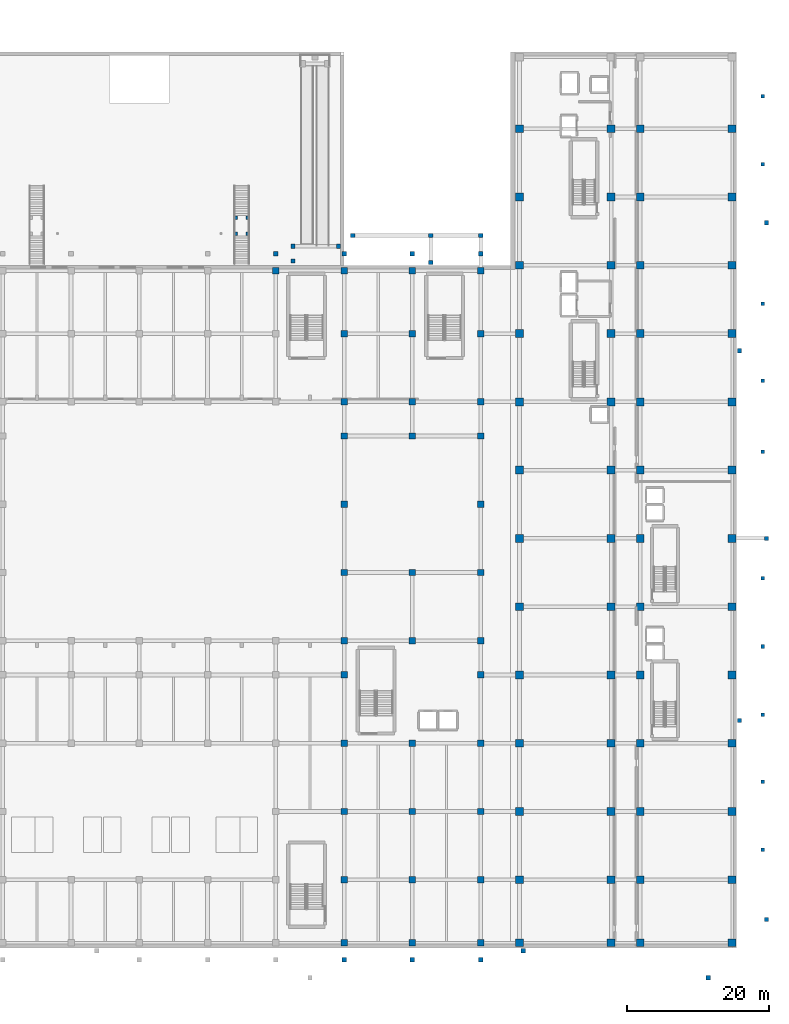
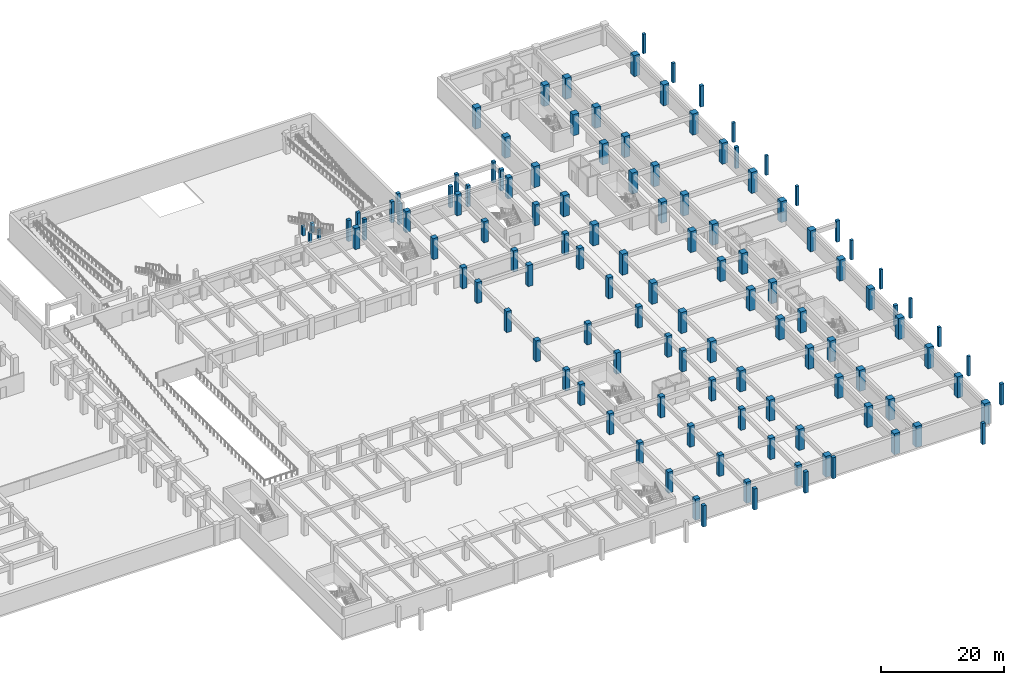
# One storey, part 3 of 39: 122 columns.
"""IFC4 building model written with IfcOpenShell, lengths in metres."""

import ifcopenshell
import ifcopenshell.guid

model = None  # the IFC model being written
_history = None  # IfcOwnerHistory: only IFC2X3 demands one
_inside = {}  # id of a spatial element -> (the spatial element, [elements in it])
_under = {}  # id of a project, library or spatial element -> (it, [spatial elements below it])
_declared = {}  # id of a project -> (the project, [libraries it declares])
_typed = {}  # id of a type object -> (the type object, [elements of that type])
_made_of = {}  # id of a material, layer set ... -> (it, [elements and type objects made of it])


def new_model(schema):
    """Start an empty IFC model of exactly this schema.

    Asked for "IFC4X3", IfcOpenShell would pick the latest addendum, in which some entities
    have other attributes; the version numbers below select the first issue.
    IFC2X3 requires an IfcOwnerHistory on every rooted entity: one is made here for all.
    """
    global model, _history
    if schema == "IFC4X3":
        model = ifcopenshell.file(schema_version=(4, 3, 0, 0))
    else:
        model = ifcopenshell.file(schema=schema)
    _inside.clear()
    _under.clear()
    _declared.clear()
    _typed.clear()
    _made_of.clear()
    _history = None
    if model.schema == "IFC2X3":
        org = make("IfcOrganization", Name="unknown")
        user = make(
            "IfcPersonAndOrganization",
            ThePerson=make("IfcPerson", FamilyName="unknown"),
            TheOrganization=org,
        )
        app = make(
            "IfcApplication",
            ApplicationDeveloper=org,
            Version="unknown",
            ApplicationFullName="unknown",
            ApplicationIdentifier="unknown",
        )
        _history = make(
            "IfcOwnerHistory",
            OwningUser=user,
            OwningApplication=app,
            ChangeAction="ADDED",
            CreationDate=0,
        )
    return model


def make(cls, **values):
    """One entity of the class cls with the attributes given. An attribute that is None is left unset."""
    return model.create_entity(
        cls, **{name: value for name, value in values.items() if value is not None}
    )


def rooted(cls, **values):
    """An entity with a GlobalId (a new one), such as an element, a storey or a relation."""
    return make(cls, GlobalId=ifcopenshell.guid.new(), OwnerHistory=_history, **values)


def si_unit(unit_type, name, prefix=None):
    """IfcSIUnit, for example si_unit("LENGTHUNIT", "METRE", prefix="MILLI")."""
    return make("IfcSIUnit", UnitType=unit_type, Prefix=prefix, Name=name)


def assignment(units):
    """IfcUnitAssignment: the units of a project."""
    return None if units is None else make("IfcUnitAssignment", Units=units)


def point(xyz):
    """IfcCartesianPoint."""
    return None if xyz is None else make("IfcCartesianPoint", Coordinates=xyz)


def direction(xyz):
    """IfcDirection."""
    return None if xyz is None else make("IfcDirection", DirectionRatios=xyz)


def frame(location, z_axis=None, x_axis=None):
    """IfcAxis2Placement3D, a coordinate frame: its origin and axes. An axis left out is left unset."""
    return make(
        "IfcAxis2Placement3D",
        Location=point(location),
        Axis=direction(z_axis),
        RefDirection=direction(x_axis),
    )


def frame_2d(location, x_axis=None):
    """IfcAxis2Placement2D, a coordinate frame in the plane: its origin and x axis."""
    return make(
        "IfcAxis2Placement2D", Location=point(location), RefDirection=direction(x_axis)
    )


def origin():
    """The frame at (0, 0, 0) with its axes left unset."""
    return frame((0.0, 0.0, 0.0))


def origin_2d():
    """The frame at (0, 0) in the plane with its x axis left unset."""
    return frame_2d((0.0, 0.0))


def place(relative_to, where):
    """IfcLocalPlacement: puts the frame where relative to a parent placement (None: the world)."""
    return make(
        "IfcLocalPlacement", PlacementRelTo=relative_to, RelativePlacement=where
    )


def context(
    kind, dimensions, precision=None, world=None, true_north=None, identifier=None
):
    """IfcGeometricRepresentationContext, for example the 3D "Model" context."""
    return make(
        "IfcGeometricRepresentationContext",
        ContextIdentifier=identifier,
        ContextType=kind,
        CoordinateSpaceDimension=dimensions,
        Precision=precision,
        WorldCoordinateSystem=world,
        TrueNorth=true_north,
    )


def subcontext(parent, identifier, kind, view, scale=None):
    """IfcGeometricRepresentationSubContext, for example "Body" below "Model"."""
    return make(
        "IfcGeometricRepresentationSubContext",
        ContextIdentifier=identifier,
        ContextType=kind,
        ParentContext=parent,
        TargetScale=scale,
        TargetView=view,
    )


def project(units=None, contexts=None):
    """IfcProject with its units and contexts."""
    return rooted(
        "IfcProject",
        Name="project",
        RepresentationContexts=contexts,
        UnitsInContext=assignment(units),
    )


def spatial(cls, under=None, at=None, **own):
    """A site, building, storey or space (cls), placed at a placement, below another one or the project."""
    s = rooted(cls, ObjectPlacement=at, **own)
    if under is not None:
        _under.setdefault(under.id(), (under, []))[1].append(s)
    return s


def profile(cls, at=None, kind="AREA", **sizes):
    """A parametric profile (cls). Its sizes go by their IFC names, for example OverallWidth=200.0."""
    return make(cls, ProfileType=kind, Position=at, **sizes)


def rectangle(**sizes):
    """IfcRectangleProfileDef."""
    return profile("IfcRectangleProfileDef", **sizes)


def extrude(swept, where, along, depth):
    """IfcExtrudedAreaSolid: the profile swept, set in the frame where, extruded along a direction by depth."""
    return make(
        "IfcExtrudedAreaSolid",
        SweptArea=swept,
        Position=where,
        ExtrudedDirection=direction(along),
        Depth=depth,
    )


def shape(context_of_items, identifier, shape_type, items):
    """IfcShapeRepresentation: the items that make up one representation, for example the "Body"."""
    return make(
        "IfcShapeRepresentation",
        ContextOfItems=context_of_items,
        RepresentationIdentifier=identifier,
        RepresentationType=shape_type,
        Items=items,
    )


def material(Name=None, Category=None):
    """IfcMaterial."""
    return make("IfcMaterial", Name=Name, Category=Category)


def material_profile(
    of_material, cross_section, Name=None, Category=None, Priority=None
):
    """IfcMaterialProfile: a cross section and its material."""
    return make(
        "IfcMaterialProfile",
        Name=Name,
        Material=of_material,
        Profile=cross_section,
        Priority=Priority,
        Category=Category,
    )


def profile_set(profiles, Name=None, composite=None):
    """IfcMaterialProfileSet."""
    return make(
        "IfcMaterialProfileSet",
        Name=Name,
        MaterialProfiles=profiles,
        CompositeProfile=composite,
    )


def made_of(thing, what):
    """Note that an element or type object is made of a material, layer set ...; save() writes the relation."""
    if what is not None:
        _made_of.setdefault(what.id(), (what, []))[1].append(thing)
    return thing


def type_object(cls, material=None, **own):
    """A type object (cls), such as IfcWallType, which elements share."""
    return made_of(rooted(cls, **own), material)


def element(
    cls,
    number,
    at=None,
    inside=None,
    cuts=None,
    type_object=None,
    material=None,
    context=None,
    identifier="Body",
    shape_type=None,
    held_by="IfcProductDefinitionShape",
    body=None,
    shapes=None,
    **own,
):
    """One element of the class cls, such as IfcWall. Its Tag is "e" and its number.

    at: its placement. inside: the storey or other place that contains it. cuts: it is an
    opening in that element (IfcRelVoidsElement). A single representation is given by context,
    identifier, shape_type and body (its items); several are given by shapes. held_by: the class
    of the entity that holds the representations. save() writes the other relations.
    """
    e = rooted(cls, Tag="e%d" % number, ObjectPlacement=at, **own)
    if body is not None:
        shapes = [shape(context, identifier, shape_type, body)]
    if shapes is not None:
        e.Representation = make(held_by, Representations=shapes)
    if inside is not None:
        _inside.setdefault(inside.id(), (inside, []))[1].append(e)
    if cuts is not None:
        rooted(
            "IfcRelVoidsElement", RelatingBuildingElement=cuts, RelatedOpeningElement=e
        )
    if type_object is not None:
        _typed.setdefault(type_object.id(), (type_object, []))[1].append(e)
    return made_of(e, material)


def aggregate(whole, parts):
    """IfcRelAggregates: a whole, such as a stair, and the parts it consists of."""
    return rooted("IfcRelAggregates", RelatingObject=whole, RelatedObjects=parts)


def save(model, path):
    """Write the relations noted so far, then the file.

    IfcRelAggregates (storeys below a building ...), IfcRelContainedInSpatialStructure (elements
    in a storey), IfcRelDefinesByType, IfcRelAssociatesMaterial and IfcRelDeclares: one each for
    every whole, place, type object, material and project.
    """
    for whole, parts in _under.values():
        aggregate(whole, parts)
    for where, things in _inside.values():
        rooted(
            "IfcRelContainedInSpatialStructure",
            RelatedElements=things,
            RelatingStructure=where,
        )
    for kind, things in _typed.values():
        rooted("IfcRelDefinesByType", RelatedObjects=things, RelatingType=kind)
    for what, things in _made_of.values():
        rooted("IfcRelAssociatesMaterial", RelatedObjects=things, RelatingMaterial=what)
    for by, libraries in _declared.values():
        rooted("IfcRelDeclares", RelatingContext=by, RelatedDefinitions=libraries)
    model.write(path)


model = new_model("IFC4")

# Units and contexts
model_context = context("Model", 3, precision=1e-05, world=origin(), true_north=direction((0.0, 1.0)))
body_context = subcontext(model_context, "Body", "Model", "MODEL_VIEW")
ifc_project = project(units=[si_unit("LENGTHUNIT", "METRE"), si_unit("AREAUNIT", "SQUARE_METRE"), si_unit("VOLUMEUNIT", "CUBIC_METRE"), si_unit("PLANEANGLEUNIT", "RADIAN"), si_unit("MASSUNIT", "GRAM", prefix="KILO")], contexts=[model_context])

# Site, building, storey
site_placement = place(None, origin())
site = spatial("IfcSite", under=ifc_project, at=site_placement, CompositionType="ELEMENT")
building_placement = place(site_placement, origin())
building = spatial("IfcBuilding", under=site, at=building_placement, Name="Nakhvara Creek Congress Hotel", CompositionType="ELEMENT")
storey_placement = place(building_placement, frame((0.0, 0.0, -4.199951171875)))
storey = spatial("IfcBuildingStorey", under=building, at=storey_placement, Name="B1", CompositionType="ELEMENT", Elevation=-4.199951171875)

# Columns
ifc_material = material(Name="Concrete C50/60", Category="concrete")
ifc_material_profile_1 = material_profile(ifc_material, rectangle(XDim=1.10009765625, YDim=1.10009765625, at=origin_2d()), Name="RC-COL 1100x1100", Category="LoadBearing")
ifc_profile_set_1 = profile_set([ifc_material_profile_1], Name="Concrete C50/60")
column_type_1 = type_object("IfcColumnType", Name="COL-RC-1100", PredefinedType="COLUMN", material=ifc_profile_set_1)
for number, where, z_axis, x_axis, name in (
    (1, (149.449951171875, 0.75, 0.0), (0.0, 0.0, 1.0), (1.0, 0.0, 0.0), "Column C01-B1-0484"),
    (2, (149.449951171875, 9.60009765625, 0.0), (0.0, 0.0, 1.0), (1.0, 0.0, 0.0), "Column C01-B1-0485"),
    (3, (149.449951171875, 19.199951171875, 0.0), (0.0, 0.0, 1.0), (1.0, 0.0, 0.0), "Column C01-B1-0486"),
    (4, (149.449951171875, 28.800048828125, 0.0), (0.0, 0.0, 1.0), (1.0, 0.0, 0.0), "Column C01-B1-0487"),
    (5, (149.449951171875, 38.39990234375, 0.0), (0.0, 0.0, 1.0), (1.0, 0.0, 0.0), "Column C01-B1-0488"),
    (6, (149.449951171875, 48.0, 0.0), (0.0, 0.0, 1.0), (1.0, 0.0, 0.0), "Column C01-B1-0489"),
    (7, (149.449951171875, 57.60009765625, 0.0), (0.0, 0.0, 1.0), (1.0, 0.0, 0.0), "Column C01-B1-0490"),
    (8, (149.449951171875, 67.199951171875, 0.0), (0.0, 0.0, 1.0), (1.0, 0.0, 0.0), "Column C01-B1-0491"),
    (9, (149.449951171875, 76.800048828125, 0.0), (0.0, 0.0, 1.0), (1.0, 0.0, 0.0), "Column C01-B1-0492"),
    (10, (149.449951171875, 86.39990234375, 0.0), (0.0, 0.0, 1.0), (1.0, 0.0, 0.0), "Column C01-B1-0493"),
    (11, (149.449951171875, 96.0, 0.0), (0.0, 0.0, 1.0), (1.0, 0.0, 0.0), "Column C01-B1-0494"),
    (12, (149.449951171875, 105.60009765625, 0.0), (0.0, 0.0, 1.0), (1.0, 0.0, 0.0), "Column C01-B1-0495"),
    (13, (149.449951171875, 115.199951171875, 0.0), (0.0, 0.0, 1.0), (1.0, 0.0, 0.0), "Column C01-B1-0496"),
    (14, (162.35009765625, 0.75, 0.0), (0.0, 0.0, 1.0), (1.0, 0.0, 0.0), "Column C01-B1-0498"),
    (15, (162.35009765625, 9.60009765625, 0.0), (0.0, 0.0, 1.0), (1.0, 0.0, 0.0), "Column C01-B1-0499"),
    (16, (162.35009765625, 19.199951171875, 0.0), (0.0, 0.0, 1.0), (1.0, 0.0, 0.0), "Column C01-B1-0500"),
    (17, (162.35009765625, 28.800048828125, 0.0), (0.0, 0.0, 1.0), (1.0, 0.0, 0.0), "Column C01-B1-0501"),
    (18, (162.35009765625, 38.39990234375, 0.0), (0.0, 0.0, 1.0), (1.0, 0.0, 0.0), "Column C01-B1-0502"),
    (19, (162.35009765625, 48.0, 0.0), (0.0, 0.0, 1.0), (1.0, 0.0, 0.0), "Column C01-B1-0503"),
    (20, (162.35009765625, 57.60009765625, 0.0), (0.0, 0.0, 1.0), (1.0, 0.0, 0.0), "Column C01-B1-0504"),
    (21, (162.35009765625, 67.199951171875, 0.0), (0.0, 0.0, 1.0), (1.0, 0.0, 0.0), "Column C01-B1-0505"),
    (22, (162.35009765625, 76.800048828125, 0.0), (0.0, 0.0, 1.0), (1.0, 0.0, 0.0), "Column C01-B1-0506"),
    (23, (162.35009765625, 86.39990234375, 0.0), (0.0, 0.0, 1.0), (1.0, 0.0, 0.0), "Column C01-B1-0507"),
    (24, (162.35009765625, 96.0, 0.0), (0.0, 0.0, 1.0), (1.0, 0.0, 0.0), "Column C01-B1-0508"),
    (25, (162.35009765625, 105.60009765625, 0.0), (0.0, 0.0, 1.0), (1.0, 0.0, 0.0), "Column C01-B1-0509"),
    (26, (162.35009765625, 115.199951171875, 0.0), (0.0, 0.0, 1.0), (1.0, 0.0, 0.0), "Column C01-B1-0510"),
    (27, (166.449951171875, 0.75, 0.0), (0.0, 0.0, 1.0), (1.0, 0.0, 0.0), "Column C01-B1-0512"),
    (28, (166.449951171875, 9.60009765625, 0.0), (0.0, 0.0, 1.0), (1.0, 0.0, 0.0), "Column C01-B1-0513"),
    (29, (166.449951171875, 19.199951171875, 0.0), (0.0, 0.0, 1.0), (1.0, 0.0, 0.0), "Column C01-B1-0514"),
    (30, (166.449951171875, 28.800048828125, 0.0), (0.0, 0.0, 1.0), (1.0, 0.0, 0.0), "Column C01-B1-0515"),
    (31, (166.449951171875, 38.39990234375, 0.0), (0.0, 0.0, 1.0), (1.0, 0.0, 0.0), "Column C01-B1-0516"),
    (32, (166.449951171875, 48.0, 0.0), (0.0, 0.0, 1.0), (1.0, 0.0, 0.0), "Column C01-B1-0517"),
    (33, (166.449951171875, 57.60009765625, 0.0), (0.0, 0.0, 1.0), (1.0, 0.0, 0.0), "Column C01-B1-0518"),
    (34, (166.449951171875, 67.199951171875, 0.0), (0.0, 0.0, 1.0), (1.0, 0.0, 0.0), "Column C01-B1-0519"),
    (35, (166.449951171875, 76.800048828125, 0.0), (0.0, 0.0, 1.0), (1.0, 0.0, 0.0), "Column C01-B1-0520"),
    (36, (166.449951171875, 86.39990234375, 0.0), (0.0, 0.0, 1.0), (1.0, 0.0, 0.0), "Column C01-B1-0521"),
    (37, (166.449951171875, 96.0, 0.0), (0.0, 0.0, 1.0), (1.0, 0.0, 0.0), "Column C01-B1-0522"),
    (38, (166.449951171875, 105.60009765625, 0.0), (0.0, 0.0, 1.0), (1.0, 0.0, 0.0), "Column C01-B1-0523"),
    (39, (166.449951171875, 115.199951171875, 0.0), (0.0, 0.0, 1.0), (1.0, 0.0, 0.0), "Column C01-B1-0524"),
    (40, (179.35009765625, 0.75, 0.0), (0.0, 0.0, 1.0), (1.0, 0.0, 0.0), "Column C01-B1-0526"),
    (41, (179.35009765625, 9.60009765625, 0.0), (0.0, 0.0, 1.0), (1.0, 0.0, 0.0), "Column C01-B1-0527"),
    (42, (179.35009765625, 19.199951171875, 0.0), (0.0, 0.0, 1.0), (1.0, 0.0, 0.0), "Column C01-B1-0528"),
    (43, (179.35009765625, 28.800048828125, 0.0), (0.0, 0.0, 1.0), (1.0, 0.0, 0.0), "Column C01-B1-0529"),
    (44, (179.35009765625, 38.39990234375, 0.0), (0.0, 0.0, 1.0), (1.0, 0.0, 0.0), "Column C01-B1-0530"),
    (45, (179.35009765625, 48.0, 0.0), (0.0, 0.0, 1.0), (1.0, 0.0, 0.0), "Column C01-B1-0531"),
    (46, (179.35009765625, 57.60009765625, 0.0), (0.0, 0.0, 1.0), (1.0, 0.0, 0.0), "Column C01-B1-0532"),
    (47, (179.35009765625, 67.199951171875, 0.0), (0.0, 0.0, 1.0), (1.0, 0.0, 0.0), "Column C01-B1-0533"),
    (48, (179.35009765625, 76.800048828125, 0.0), (0.0, 0.0, 1.0), (1.0, 0.0, 0.0), "Column C01-B1-0534"),
    (49, (179.35009765625, 86.39990234375, 0.0), (0.0, 0.0, 1.0), (1.0, 0.0, 0.0), "Column C01-B1-0535"),
    (50, (179.35009765625, 96.0, 0.0), (0.0, 0.0, 1.0), (1.0, 0.0, 0.0), "Column C01-B1-0536"),
    (51, (179.35009765625, 105.60009765625, 0.0), (0.0, 0.0, 1.0), (1.0, 0.0, 0.0), "Column C01-B1-0537"),
    (52, (179.35009765625, 115.199951171875, 0.0), (0.0, 0.0, 1.0), (1.0, 0.0, 0.0), "Column C01-B1-0538"),
):
    element("IfcColumn", number, at=place(storey_placement, frame(where, z_axis=z_axis, x_axis=x_axis)), inside=storey, type_object=column_type_1, Name=name, PredefinedType="COLUMN", context=body_context, shape_type="SweptSolid", body=[
        extrude(rectangle(XDim=1.10009765625, YDim=1.10009765625, at=origin_2d()), origin(), (0.0, 0.0, 1.0), 4.199951171875),
    ])
ifc_material_profile_2 = material_profile(ifc_material, rectangle(XDim=0.5, YDim=0.5, at=origin_2d()), Name="RC-COL 500x500", Category="LoadBearing")
ifc_profile_set_2 = profile_set([ifc_material_profile_2], Name="Concrete C50/60")
column_type_2 = type_object("IfcColumnType", Name="COL-RC-500", PredefinedType="COLUMN", material=ifc_profile_set_2)
for number, where, z_axis, x_axis, name in (
    (53, (183.64990234375, 13.800048828125, 0.0), (0.0, 0.0, 1.0), (1.0, 0.0, 0.0), "East Boulevard Apron Pier B1-01"),
    (54, (183.64990234375, 23.39990234375, 0.0), (0.0, 0.0, 1.0), (1.0, 0.0, 0.0), "East Boulevard Apron Pier B1-02"),
    (55, (183.64990234375, 32.800048828125, 0.0), (0.0, 0.0, 1.0), (1.0, 0.0, 0.0), "East Boulevard Apron Pier B1-03"),
    (56, (183.64990234375, 42.39990234375, 0.0), (0.0, 0.0, 1.0), (1.0, 0.0, 0.0), "East Boulevard Apron Pier B1-04"),
    (57, (183.64990234375, 52.0, 0.0), (0.0, 0.0, 1.0), (1.0, 0.0, 0.0), "East Boulevard Apron Pier B1-05"),
    (58, (183.64990234375, 69.800048828125, 0.0), (0.0, 0.0, 1.0), (1.0, 0.0, 0.0), "East Boulevard Apron Pier B1-06"),
    (59, (183.64990234375, 79.800048828125, 0.0), (0.0, 0.0, 1.0), (1.0, 0.0, 0.0), "East Boulevard Apron Pier B1-07"),
    (60, (183.64990234375, 90.60009765625, 0.0), (0.0, 0.0, 1.0), (1.0, 0.0, 0.0), "East Boulevard Apron Pier B1-08"),
    (61, (183.64990234375, 110.199951171875, 0.0), (0.0, 0.0, 1.0), (1.0, 0.0, 0.0), "East Boulevard Apron Pier B1-09"),
    (62, (183.64990234375, 119.800048828125, 0.0), (0.0, 0.0, 1.0), (1.0, 0.0, 0.0), "East Boulevard Apron Pier B1-10"),
):
    element("IfcColumn", number, at=place(storey_placement, frame(where, z_axis=z_axis, x_axis=x_axis)), inside=storey, type_object=column_type_2, Name=name, PredefinedType="COLUMN", context=body_context, shape_type="SweptSolid", body=[
        extrude(rectangle(XDim=0.5, YDim=0.5, at=origin_2d()), origin(), (0.0, 0.0, 1.0), 3.8798828125),
    ])
for number, where, z_axis, x_axis, name in (
    (63, (109.550048828125, 100.449951171875, 0.0), (0.0, 0.0, 1.0), (1.0, 0.0, 0.0), "Forecourt Stair Landing Pier ST22-05"),
    (64, (109.550048828125, 102.699951171875, 0.0), (0.0, 0.0, 1.0), (1.0, 0.0, 0.0), "Forecourt Stair Landing Pier ST22-06"),
    (65, (111.25, 100.449951171875, 0.0), (0.0, 0.0, 1.0), (1.0, 0.0, 0.0), "Forecourt Stair Landing Pier ST22-07"),
    (66, (111.25, 102.699951171875, 0.0), (0.0, 0.0, 1.0), (1.0, 0.0, 0.0), "Forecourt Stair Landing Pier ST22-08"),
):
    element("IfcColumn", number, at=place(storey_placement, frame(where, z_axis=z_axis, x_axis=x_axis)), inside=storey, type_object=column_type_2, Name=name, PredefinedType="COLUMN", context=body_context, shape_type="SweptSolid", body=[
        extrude(rectangle(XDim=0.5, YDim=0.5, at=origin_2d()), origin(), (0.0, 0.0, 1.0), 1.889892578125),
    ])
ifc_material_profile_3 = material_profile(ifc_material, rectangle(XDim=0.60009765625, YDim=0.60009765625, at=origin_2d()), Name="RC-COL 600x600", Category="LoadBearing")
ifc_profile_set_3 = profile_set([ifc_material_profile_3], Name="Concrete C50/60")
column_type_3 = type_object("IfcColumnType", Name="COL-RC-600", PredefinedType="COLUMN", material=ifc_profile_set_3)
for number, where, z_axis, x_axis, name in (
    (67, (117.60009765625, 96.60009765625, 0.0), (0.0, 0.0, 1.0), (1.0, 0.0, 0.0), "Column C08-B1-0543"),
    (68, (124.0, 98.699951171875, 0.0), (0.0, 0.0, 1.0), (1.0, 0.0, 0.0), "Column C08-B1-0544"),
    (69, (117.60009765625, 98.699951171875, 0.0), (0.0, 0.0, 1.0), (1.0, 0.0, 0.0), "Column C08-B1-0545"),
    (70, (126.0, 100.199951171875, 0.0), (0.0, 0.0, 1.0), (1.0, 0.0, 0.0), "Column C08-B1-0564"),
    (71, (137.0, 100.199951171875, 0.0), (0.0, 0.0, 1.0), (1.0, 0.0, 0.0), "Column C08-B1-0565"),
    (72, (144.0, 100.199951171875, 0.0), (0.0, 0.0, 1.0), (1.0, 0.0, 0.0), "Column C08-B1-0566"),
    (73, (137.0, 96.39990234375, 0.0), (0.0, 0.0, 1.0), (1.0, 0.0, 0.0), "Column C08-B1-0567"),
    (74, (184.199951171875, 4.0, 0.0), (0.0, 0.0, 1.0), (1.0, 0.0, 0.0), "Column C08-B1-0568"),
    (75, (184.199951171875, 57.60009765625, 0.0), (0.0, 0.0, 1.0), (1.0, 0.0, 0.0), "Column C08-B1-0569"),
    (76, (184.199951171875, 102.0, 0.0), (0.0, 0.0, 1.0), (1.0, 0.0, 0.0), "Column C08-B1-0570"),
    (77, (180.39990234375, 32.0, 0.0), (0.0, 0.0, 1.0), (1.0, 0.0, 0.0), "Column C08-B1-0571"),
    (78, (180.39990234375, 84.0, 0.0), (0.0, 0.0, 1.0), (1.0, 0.0, 0.0), "Column C08-B1-0572"),
    (79, (176.0, -4.199951171875, 0.0), (0.0, 0.0, 1.0), (1.0, 0.0, 0.0), "Column C08-B1-0575"),
    (80, (150.0, -0.39990234375, 0.0), (0.0, 0.0, 1.0), (1.0, 0.0, 0.0), "Column C08-B1-0577"),
):
    element("IfcColumn", number, at=place(storey_placement, frame(where, z_axis=z_axis, x_axis=x_axis)), inside=storey, type_object=column_type_3, Name=name, PredefinedType="COLUMN", context=body_context, shape_type="SweptSolid", body=[
        extrude(rectangle(XDim=0.60009765625, YDim=0.60009765625, at=origin_2d()), origin(), (0.0, 0.0, 1.0), 4.199951171875),
    ])
ifc_material_profile_4 = material_profile(ifc_material, rectangle(XDim=0.64990234375, YDim=0.64990234375, at=origin_2d()), Name="RC-COL 650x650", Category="LoadBearing")
ifc_profile_set_4 = profile_set([ifc_material_profile_4], Name="Concrete C50/60")
column_type_4 = type_object("IfcColumnType", Name="COL-RC-650", PredefinedType="COLUMN", material=ifc_profile_set_4)
for number, where, z_axis, x_axis, name in (
    (81, (115.199951171875, 97.64990234375, 0.0), (0.0, 0.0, 1.0), (1.0, 0.0, 0.0), "Column C07-B1-0470"),
    (82, (124.800048828125, 97.64990234375, 0.0), (0.0, 0.0, 1.0), (1.0, 0.0, 0.0), "Column C07-B1-0471"),
    (83, (134.39990234375, 97.64990234375, 0.0), (0.0, 0.0, 1.0), (1.0, 0.0, 0.0), "Column C07-B1-0472"),
    (84, (144.0, 97.64990234375, 0.0), (0.0, 0.0, 1.0), (1.0, 0.0, 0.0), "Column C07-B1-0473"),
    (85, (124.800048828125, -1.64990234375, 0.0), (0.0, 0.0, 1.0), (1.0, 0.0, 0.0), "Column C07-B1-0478"),
    (86, (134.39990234375, -1.64990234375, 0.0), (0.0, 0.0, 1.0), (1.0, 0.0, 0.0), "Column C07-B1-0479"),
    (87, (144.0, -1.64990234375, 0.0), (0.0, 0.0, 1.0), (1.0, 0.0, 0.0), "Column C07-B1-0483"),
):
    element("IfcColumn", number, at=place(storey_placement, frame(where, z_axis=z_axis, x_axis=x_axis)), inside=storey, type_object=column_type_4, Name=name, PredefinedType="COLUMN", context=body_context, shape_type="SweptSolid", body=[
        extrude(rectangle(XDim=0.64990234375, YDim=0.64990234375, at=origin_2d()), origin(), (0.0, 0.0, 1.0), 4.199951171875),
    ])
ifc_material_profile_5 = material_profile(ifc_material, rectangle(XDim=0.89990234375, YDim=0.89990234375, at=origin_2d()), Name="RC-COL 900x900", Category="LoadBearing")
ifc_profile_set_5 = profile_set([ifc_material_profile_5], Name="Concrete C50/60")
column_type_5 = type_object("IfcColumnType", Name="COL-RC-900", PredefinedType="COLUMN", material=ifc_profile_set_5)
for number, where, z_axis, x_axis, name in (
    (88, (115.199951171875, 95.25, 0.0), (0.0, 0.0, 1.0), (1.0, 0.0, 0.0), "Column C03-B1-0433"),
    (89, (124.800048828125, 0.75, 0.0), (0.0, 0.0, 1.0), (1.0, 0.0, 0.0), "Column C03-B1-0434"),
    (90, (124.800048828125, 9.60009765625, 0.0), (0.0, 0.0, 1.0), (1.0, 0.0, 0.0), "Column C03-B1-0435"),
    (91, (124.800048828125, 19.199951171875, 0.0), (0.0, 0.0, 1.0), (1.0, 0.0, 0.0), "Column C03-B1-0436"),
    (92, (124.800048828125, 28.800048828125, 0.0), (0.0, 0.0, 1.0), (1.0, 0.0, 0.0), "Column C03-B1-0437"),
    (93, (124.800048828125, 38.39990234375, 0.0), (0.0, 0.0, 1.0), (1.0, 0.0, 0.0), "Column C03-B1-0438"),
    (94, (124.800048828125, 43.199951171875, 0.0), (0.0, 0.0, 1.0), (1.0, 0.0, 0.0), "Column C03-B1-0439"),
    (95, (124.800048828125, 52.800048828125, 0.0), (0.0, 0.0, 1.0), (1.0, 0.0, 0.0), "Column C03-B1-0440"),
    (96, (124.800048828125, 62.39990234375, 0.0), (0.0, 0.0, 1.0), (1.0, 0.0, 0.0), "Column C03-B1-0441"),
    (97, (124.800048828125, 72.0, 0.0), (0.0, 0.0, 1.0), (1.0, 0.0, 0.0), "Column C03-B1-0442"),
    (98, (124.800048828125, 76.800048828125, 0.0), (0.0, 0.0, 1.0), (1.0, 0.0, 0.0), "Column C03-B1-0443"),
    (99, (124.800048828125, 86.39990234375, 0.0), (0.0, 0.0, 1.0), (1.0, 0.0, 0.0), "Column C03-B1-0444"),
    (100, (124.800048828125, 95.25, 0.0), (0.0, 0.0, 1.0), (1.0, 0.0, 0.0), "Column C03-B1-0445"),
    (101, (134.39990234375, 0.75, 0.0), (0.0, 0.0, 1.0), (1.0, 0.0, 0.0), "Column C03-B1-0446"),
    (102, (134.39990234375, 9.60009765625, 0.0), (0.0, 0.0, 1.0), (1.0, 0.0, 0.0), "Column C03-B1-0447"),
    (103, (134.39990234375, 19.199951171875, 0.0), (0.0, 0.0, 1.0), (1.0, 0.0, 0.0), "Column C03-B1-0448"),
    (104, (134.39990234375, 28.800048828125, 0.0), (0.0, 0.0, 1.0), (1.0, 0.0, 0.0), "Column C03-B1-0449"),
    (105, (134.39990234375, 43.199951171875, 0.0), (0.0, 0.0, 1.0), (1.0, 0.0, 0.0), "Column C03-B1-0450"),
    (106, (134.39990234375, 52.800048828125, 0.0), (0.0, 0.0, 1.0), (1.0, 0.0, 0.0), "Column C03-B1-0451"),
    (107, (134.39990234375, 72.0, 0.0), (0.0, 0.0, 1.0), (1.0, 0.0, 0.0), "Column C03-B1-0452"),
    (108, (134.39990234375, 76.800048828125, 0.0), (0.0, 0.0, 1.0), (1.0, 0.0, 0.0), "Column C03-B1-0453"),
    (109, (134.39990234375, 86.39990234375, 0.0), (0.0, 0.0, 1.0), (1.0, 0.0, 0.0), "Column C03-B1-0454"),
    (110, (134.39990234375, 95.25, 0.0), (0.0, 0.0, 1.0), (1.0, 0.0, 0.0), "Column C03-B1-0455"),
    (111, (144.0, 0.75, 0.0), (0.0, 0.0, 1.0), (1.0, 0.0, 0.0), "Column C03-B1-0456"),
    (112, (144.0, 9.60009765625, 0.0), (0.0, 0.0, 1.0), (1.0, 0.0, 0.0), "Column C03-B1-0457"),
    (113, (144.0, 19.199951171875, 0.0), (0.0, 0.0, 1.0), (1.0, 0.0, 0.0), "Column C03-B1-0458"),
    (114, (144.0, 28.800048828125, 0.0), (0.0, 0.0, 1.0), (1.0, 0.0, 0.0), "Column C03-B1-0459"),
    (115, (144.0, 38.39990234375, 0.0), (0.0, 0.0, 1.0), (1.0, 0.0, 0.0), "Column C03-B1-0460"),
    (116, (144.0, 43.199951171875, 0.0), (0.0, 0.0, 1.0), (1.0, 0.0, 0.0), "Column C03-B1-0461"),
    (117, (144.0, 52.800048828125, 0.0), (0.0, 0.0, 1.0), (1.0, 0.0, 0.0), "Column C03-B1-0462"),
    (118, (144.0, 62.39990234375, 0.0), (0.0, 0.0, 1.0), (1.0, 0.0, 0.0), "Column C03-B1-0463"),
    (119, (144.0, 72.0, 0.0), (0.0, 0.0, 1.0), (1.0, 0.0, 0.0), "Column C03-B1-0464"),
    (120, (144.0, 76.800048828125, 0.0), (0.0, 0.0, 1.0), (1.0, 0.0, 0.0), "Column C03-B1-0465"),
    (121, (144.0, 86.39990234375, 0.0), (0.0, 0.0, 1.0), (1.0, 0.0, 0.0), "Column C03-B1-0466"),
    (122, (144.0, 95.25, 0.0), (0.0, 0.0, 1.0), (1.0, 0.0, 0.0), "Column C03-B1-0467"),
):
    element("IfcColumn", number, at=place(storey_placement, frame(where, z_axis=z_axis, x_axis=x_axis)), inside=storey, type_object=column_type_5, Name=name, PredefinedType="COLUMN", context=body_context, shape_type="SweptSolid", body=[
        extrude(rectangle(XDim=0.89990234375, YDim=0.89990234375, at=origin_2d()), origin(), (0.0, 0.0, 1.0), 4.199951171875),
    ])

save(model, "model.ifc")
